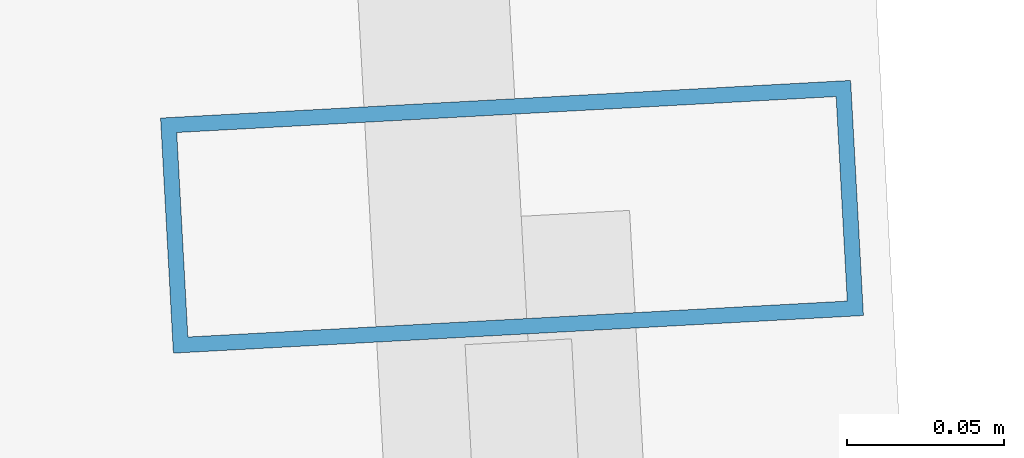
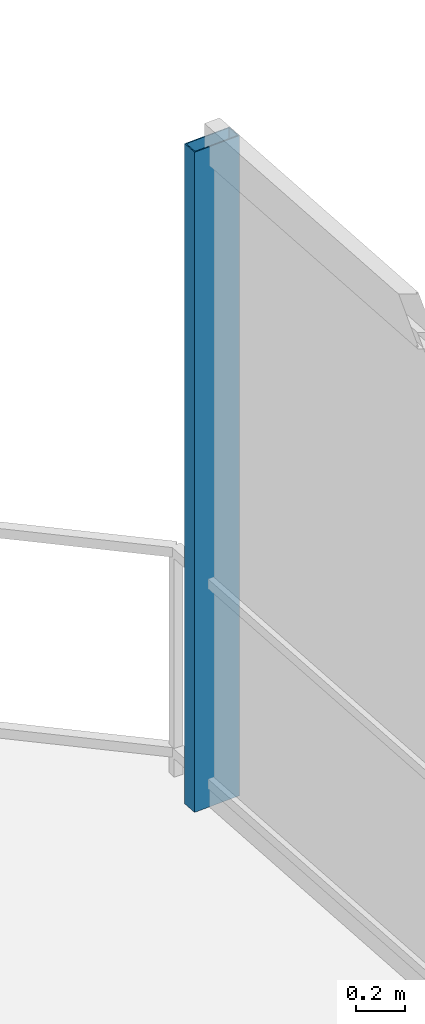
# One storey, part 13 of 18: 1 member, 1 element without a shape of its own.
"""IFC4 building model written with IfcOpenShell, lengths in metres."""

from ifc_helpers import new_model, si_unit, direction, frame, origin, origin_2d, place, context, subcontext, project, spatial, hollow_rectangle, extrude, material, layer, layer_set, material_profile, profile_set, type_object, element, aggregate, save


model = new_model("IFC4")

# Units and contexts
model_context = context("Model", 3, precision=1e-05, world=origin(), true_north=direction((0.0, 1.0)))
body_context = subcontext(model_context, "Body", "Model", "MODEL_VIEW")
ifc_project = project(units=[si_unit("LENGTHUNIT", "METRE"), si_unit("AREAUNIT", "SQUARE_METRE"), si_unit("VOLUMEUNIT", "CUBIC_METRE"), si_unit("PLANEANGLEUNIT", "RADIAN"), si_unit("MASSUNIT", "GRAM", prefix="KILO")], contexts=[model_context])

# Site, building, storey
site_placement = place(None, origin())
site = spatial("IfcSite", under=ifc_project, at=site_placement, CompositionType="ELEMENT")
building_placement = place(site_placement, origin())
building = spatial("IfcBuilding", under=site, at=building_placement, Name="Qarnah Convention Tower", CompositionType="ELEMENT")
storey_placement = place(building_placement, frame((0.0, 0.0, 191.39990234375)))
storey = spatial("IfcBuildingStorey", under=building, at=storey_placement, Name="L51", CompositionType="ELEMENT", Elevation=191.39990234375)

# Curtain wall, member
ifc_material_1 = material(Name="Tempered Low-E dark glass", Category="glass")
ifc_layer = layer(ifc_material_1, 0.174072265625)
ifc_layer_set = layer_set([ifc_layer], Name="Tempered Low-E dark glass")
curtain_wall_type = type_object("IfcCurtainWallType", Name="CWS-04", PredefinedType="NOTDEFINED", material=ifc_layer_set)
curtain_wall_placement = place(storey_placement, origin())
curtain_wall = element("IfcCurtainWall", 1, at=curtain_wall_placement, inside=storey, type_object=curtain_wall_type, Name="L51 unitised curtain wall CW-L51-F2", PredefinedType="NOTDEFINED")
ifc_material_2 = material(Name="Black anodised aluminium", Category="aluminium")
ifc_material_profile = material_profile(ifc_material_2, hollow_rectangle(XDim=0.074951171875, YDim=0.219970703125, WallThickness=0.0048828125, at=origin_2d()), Name="MUL-75X220")
ifc_profile_set = profile_set([ifc_material_profile], Name="Black anodised aluminium")
member_type = type_object("IfcMemberType", Name="MUL-T4", PredefinedType="MULLION", material=ifc_profile_set)
member_placement = place(storey_placement, frame((52.716064453125, 42.14697265625, 0.0), z_axis=(0.0, 0.0, 1.0), x_axis=(0.054432401259, -0.998517457881, 0.0)))
member = element("IfcMember", 2, at=member_placement, type_object=member_type, Name="CW-L51-F2 mullion 1", PredefinedType="MULLION", context=body_context, shape_type="SweptSolid", body=[
    extrude(hollow_rectangle(XDim=0.074951171875, YDim=0.219970703125, WallThickness=0.0048828125, at=origin_2d()), origin(), (0.0, 0.0, 1.0), 3.320068359375),
])
aggregate(curtain_wall, [member])

save(model, "model.ifc")
